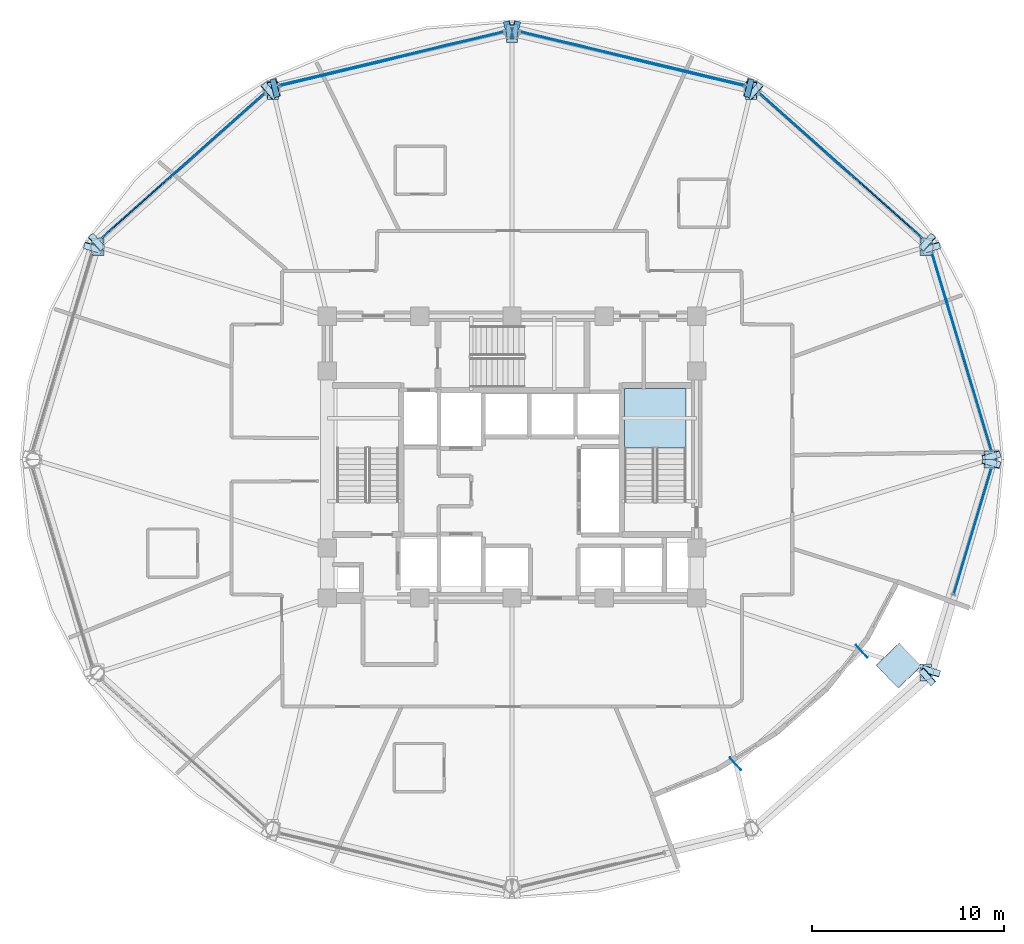
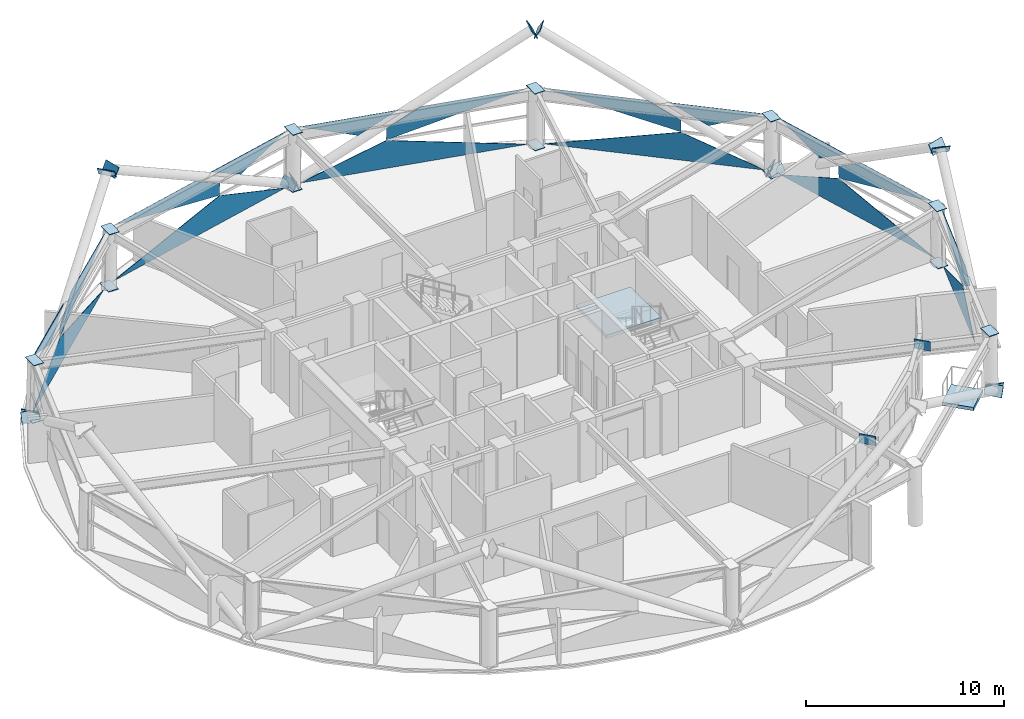
# One storey, part 9 of 17: 46 plates, 2 slabs, 7 elements without a shape of their own.
"""IFC4 building model written with IfcOpenShell, lengths in metres."""

from ifc_helpers import new_model, si_unit, direction, frame, origin, origin_2d, place, context, subcontext, project, spatial, polyline, rectangle, outline, extrude, material, layer, layer_set, type_object, element, aggregate, save


model = new_model("IFC4")

# Units and contexts
model_context = context("Model", 3, precision=1e-05, world=origin(), true_north=direction((0.0, 1.0)))
body_context = subcontext(model_context, "Body", "Model", "MODEL_VIEW")
ifc_project = project(units=[si_unit("LENGTHUNIT", "METRE"), si_unit("AREAUNIT", "SQUARE_METRE"), si_unit("VOLUMEUNIT", "CUBIC_METRE"), si_unit("PLANEANGLEUNIT", "RADIAN"), si_unit("MASSUNIT", "GRAM", prefix="KILO")], contexts=[model_context])

# Site, building, storey
site_placement = place(None, origin())
site = spatial("IfcSite", under=ifc_project, at=site_placement, CompositionType="ELEMENT")
building_placement = place(site_placement, origin())
building = spatial("IfcBuilding", under=site, at=building_placement, Name="Vantalir Tower", CompositionType="ELEMENT")
storey_placement = place(building_placement, frame((0.0, 0.0, 142.199951171875)))
storey = spatial("IfcBuildingStorey", under=building, at=storey_placement, Name="L35", CompositionType="ELEMENT", Elevation=142.199951171875)

# Curtain wall, plates
ifc_material_1 = material(Name="Champagne-silver PVDF aluminium and double-silver Low-E glass", Category="aluminium")
ifc_layer_1 = layer(ifc_material_1, 0.199951171875)
ifc_layer_set_1 = layer_set([ifc_layer_1], Name="Champagne-silver PVDF aluminium and double-silver Low-E glass")
curtain_wall_type = type_object("IfcCurtainWallType", Name="CW-DIAMOND-Z2", PredefinedType="USERDEFINED", material=ifc_layer_set_1)
curtain_wall_1_placement = place(storey_placement, origin())
curtain_wall_1 = element("IfcCurtainWall", 1, at=curtain_wall_1_placement, inside=storey, type_object=curtain_wall_type, Name="L35 Quilted Pyramid-Diamond Curtain Wall S01", ObjectType="UNITISED CURTAIN WALL", PredefinedType="USERDEFINED")
ifc_material_2 = material(Name="Double-silver Low-E laminated glass IGU", Category="glass")
ifc_layer_2 = layer(ifc_material_2, 0.028076171875)
ifc_layer_set_2 = layer_set([ifc_layer_2], Name="Double-silver Low-E laminated glass IGU")
plate_type_1 = type_object("IfcPlateType", Name="CWP-IGU-28", PredefinedType="CURTAIN_PANEL", material=ifc_layer_set_2)
plate_1_placement = place(storey_placement, frame((56.466064453125, 25.435791015625, 0.046630859375), z_axis=(0.95766605274, 0.28786194931, 0.003351055053), x_axis=(-0.287863638285, 0.957671407759, 2.2669998e-05)))
plate_1 = element("IfcPlate", 2, at=plate_1_placement, type_object=plate_type_1, Name="CW-L35-S01 Pyramid Diamond Facet 1L", PredefinedType="CURTAIN_PANEL", context=body_context, shape_type="SweptSolid", body=[
    extrude(outline(polyline([(0.0, 0.0), (10.769327014401977, 1.1926223897340549e-18), (6.671551167771227, 1.7261768079038324), (0.0, 0.0)])), origin(), (0.0, 0.0, -1.0), 0.028076171875),
])
plate_2_placement = place(storey_placement, frame((56.404052734375, 25.435791015625, 3.523681640625), z_axis=(0.95721136728, 0.287737880689, 0.030875724556), x_axis=(-0.287873738099, 0.95766837094, -4.7059881e-05)))
plate_2 = element("IfcPlate", 3, at=plate_2_placement, type_object=plate_type_1, Name="CW-L35-S01 Pyramid Diamond Facet 2U", PredefinedType="CURTAIN_PANEL", context=body_context, shape_type="SweptSolid", body=[
    extrude(outline(polyline([(0.0, 0.0), (5.063267981563026, 3.848917712323541e-18), (6.653625909087909, -0.9779363349330977), (6.653648551236888, -1.7270669298603658), (0.0, 0.0)])), origin(), (0.0, 0.0, -1.0), 0.028076171875),
])
plate_3_placement = place(storey_placement, frame((54.6640625, 31.334716796875, 3.5244140625), z_axis=(0.957197089036, 0.28777049947, 0.031014067395), x_axis=(-0.287908998639, 0.957657772121, 0.0)))
plate_3 = element("IfcPlate", 4, at=plate_3_placement, type_object=plate_type_1, Name="CW-L35-S01 Pyramid Diamond Facet 2U Infill Light", PredefinedType="CURTAIN_PANEL", context=body_context, shape_type="SweptSolid", body=[
    extrude(outline(polyline([(0.0, 0.0), (4.590107323403678, 0.0), (1.869681594079583, -1.1497229983005153), (0.0, 0.0)])), origin(), (0.0, 0.0, -1.0), 0.028076171875),
])
aggregate(curtain_wall_1, [plate_1, plate_2, plate_3])

curtain_wall_2_placement = place(storey_placement, origin())
curtain_wall_2 = element("IfcCurtainWall", 5, at=curtain_wall_2_placement, inside=storey, type_object=curtain_wall_type, Name="L35 Quilted Pyramid-Diamond Curtain Wall S02", ObjectType="UNITISED CURTAIN WALL", PredefinedType="USERDEFINED")
plate_4_placement = place(storey_placement, frame((52.8955078125, 36.48779296875, 0.046630859375), z_axis=(0.665384447468, 0.746495540801, 0.002818622248), x_axis=(-0.746498465783, 0.665387135527, -2.1424018e-05)))
plate_4 = element("IfcPlate", 6, at=plate_4_placement, type_object=plate_type_1, Name="CW-L35-S02 Pyramid Diamond Facet 1L", PredefinedType="CURTAIN_PANEL", context=body_context, shape_type="SweptSolid", body=[
    extrude(outline(polyline([(0.0, 0.0), (11.395650932216812, -4.0115480381963664e-18), (4.336856508556239, 1.7266622721472498), (0.0, 0.0)])), origin(), (0.0, 0.0, -1.0), 0.028076171875),
])
plate_5_placement = place(storey_placement, frame((48.363037109375, 40.451416015625, 3.5234375), z_axis=(0.665070572658, 0.74617913916, 0.029963739217), x_axis=(-0.74651525432, 0.665368298715, 4.6166764e-05)))
plate_5 = element("IfcPlate", 7, at=plate_5_placement, type_object=plate_type_1, Name="CW-L35-S02 Pyramid Diamond Facet 2U", PredefinedType="CURTAIN_PANEL", context=body_context, shape_type="SweptSolid", body=[
    extrude(outline(polyline([(0.0, 0.0), (5.365318499112672, -3.3610267347050637e-18), (-1.6839939253707863, -1.7272603207361275), (-1.684050540719146, -0.9808278501973411), (0.0, 0.0)])), origin(), (0.0, 0.0, -1.0), 0.028076171875),
])
plate_6_placement = place(storey_placement, frame((52.86279296875, 36.483642578125, 3.5244140625), z_axis=(0.665066991562, 0.746188619331, 0.029806729372), x_axis=(-0.746520312689, 0.665362624997, 0.0)))
plate_6 = element("IfcPlate", 8, at=plate_6_placement, type_object=plate_type_1, Name="CW-L35-S02 Pyramid Diamond Facet 2U Infill Light", PredefinedType="CURTAIN_PANEL", context=body_context, shape_type="SweptSolid", body=[
    extrude(outline(polyline([(0.0, 0.0), (4.867308846272898, 0.0), (2.8850680383604845, -1.154809979324388), (0.0, 0.0)])), origin(), (0.0, 0.0, -1.0), 0.028076171875),
])
aggregate(curtain_wall_2, [plate_4, plate_5, plate_6])

curtain_wall_3_placement = place(storey_placement, origin())
curtain_wall_3 = element("IfcCurtainWall", 9, at=curtain_wall_3_placement, inside=storey, type_object=curtain_wall_type, Name="L35 Quilted Pyramid-Diamond Curtain Wall S03", ObjectType="UNITISED CURTAIN WALL", PredefinedType="USERDEFINED")
plate_7_placement = place(storey_placement, frame((43.6064453125, 44.478759765625, 0.04638671875), z_axis=(0.232289817625, 0.972644733842, 0.001913728391), x_axis=(-0.972646523782, 0.232290205047, 2.0358475e-05)))
plate_7 = element("IfcPlate", 10, at=plate_7_placement, type_object=plate_type_1, Name="CW-L35-S03 Pyramid Diamond Facet 1L", PredefinedType="CURTAIN_PANEL", context=body_context, shape_type="SweptSolid", body=[
    extrude(outline(polyline([(0.0, 0.0), (11.992087788120713, 1.8973538018496328e-19), (7.428788054169563, 1.7269027050779848), (0.0, 0.0)])), origin(), (0.0, 0.0, -1.0), 0.028076171875),
])
plate_8_placement = place(storey_placement, frame((43.575439453125, 44.4296875, 3.523681640625), z_axis=(0.23223011881, 0.972215014498, 0.029447198558), x_axis=(-0.97263681217, 0.232330866678, 1.87912e-07)))
plate_8 = element("IfcPlate", 11, at=plate_8_placement, type_object=plate_type_1, Name="CW-L35-S03 Pyramid Diamond Facet 2U", PredefinedType="CURTAIN_PANEL", context=body_context, shape_type="SweptSolid", body=[
    extrude(outline(polyline([(0.0, 0.0), (5.6557268985058595, 0.0), (7.409877866376199, -0.9764990824671348), (7.409882545378596, -1.7278003936049133), (0.0, 0.0)])), origin(), (0.0, 0.0, -1.0), 0.028076171875),
])
plate_9_placement = place(storey_placement, frame((36.943115234375, 46.046875, 3.5244140625), z_axis=(0.232216023165, 0.972217421857, 0.029478860604), x_axis=(-0.972640127413, 0.23231698721, 0.0)))
plate_9 = element("IfcPlate", 12, at=plate_9_placement, type_object=plate_type_1, Name="CW-L35-S03 Pyramid Diamond Facet 2U Infill Light", PredefinedType="CURTAIN_PANEL", context=body_context, shape_type="SweptSolid", body=[
    extrude(outline(polyline([(0.0, 0.0), (5.133619230558663, 0.0), (2.0817370982619647, -1.1587066943502888), (0.0, 0.0)])), origin(), (0.0, 0.0, -1.0), 0.028076171875),
])
aggregate(curtain_wall_3, [plate_7, plate_8, plate_9])

curtain_wall_4_placement = place(storey_placement, origin())
curtain_wall_4 = element("IfcCurtainWall", 13, at=curtain_wall_4_placement, inside=storey, type_object=curtain_wall_type, Name="L35 Quilted Pyramid-Diamond Curtain Wall S04", ObjectType="UNITISED CURTAIN WALL", PredefinedType="USERDEFINED")
plate_10_placement = place(storey_placement, frame((31.0576171875, 47.264404296875, 0.046630859375), z_axis=(-0.232308211186, 0.972640309848, 0.001929423311), x_axis=(-0.972642129189, -0.232308605335, -2.0360088e-05)))
plate_10 = element("IfcPlate", 14, at=plate_10_placement, type_object=plate_type_1, Name="CW-L35-S04 Pyramid Diamond Facet 1L", PredefinedType="CURTAIN_PANEL", context=body_context, shape_type="SweptSolid", body=[
    extrude(outline(polyline([(0.0, 0.0), (11.991137940145546, -1.8973538018496328e-19), (4.562824869955023, 1.726902754850567), (0.0, 0.0)])), origin(), (0.0, 0.0, -1.0), 0.028076171875),
])
plate_11_placement = place(storey_placement, frame((24.926025390625, 45.74365234375, 3.523681640625), z_axis=(-0.232247426044, 0.972211423115, 0.029429268776), x_axis=(-0.972632704927, -0.232348060691, -1.17684e-07)))
plate_11 = element("IfcPlate", 15, at=plate_11_placement, type_object=plate_type_1, Name="CW-L35-S04 Pyramid Diamond Facet 2U", PredefinedType="CURTAIN_PANEL", context=body_context, shape_type="SweptSolid", body=[
    extrude(outline(polyline([(0.0, 0.0), (5.655251978671518, -6.938893903907228e-18), (-1.7541566673117481, -1.7277993575998756), (-1.7541515451092278, -0.9764980459384729), (0.0, 0.0)])), origin(), (0.0, 0.0, -1.0), 0.028076171875),
])
plate_12_placement = place(storey_placement, frame((31.050048828125, 47.239501953125, 3.5244140625), z_axis=(-0.232237779516, 0.972213427042, 0.029439192341), x_axis=(-0.972634993262, -0.232338481276, 0.0)))
plate_12 = element("IfcPlate", 16, at=plate_12_placement, type_object=plate_type_1, Name="CW-L35-S04 Pyramid Diamond Facet 2U Infill Light", PredefinedType="CURTAIN_PANEL", context=body_context, shape_type="SweptSolid", body=[
    extrude(outline(polyline([(0.0, 0.0), (5.133144309874847, 0.0), (3.05140645728668, -1.1587053391237672), (0.0, 0.0)])), origin(), (0.0, 0.0, -1.0), 0.028076171875),
])
aggregate(curtain_wall_4, [plate_10, plate_11, plate_12])

curtain_wall_5_placement = place(storey_placement, origin())
curtain_wall_5 = element("IfcCurtainWall", 17, at=curtain_wall_5_placement, inside=storey, type_object=curtain_wall_type, Name="L35 Quilted Pyramid-Diamond Curtain Wall S05", ObjectType="UNITISED CURTAIN WALL", PredefinedType="USERDEFINED")
plate_13_placement = place(storey_placement, frame((18.6123046875, 44.0703125, 0.04638671875), z_axis=(-0.665341797474, 0.74653338341, 0.002863562233), x_axis=(-0.746536403224, -0.665344571032, 2.1422647e-05)))
plate_13 = element("IfcPlate", 18, at=plate_13_placement, type_object=plate_type_1, Name="CW-L35-S05 Pyramid Diamond Facet 1L", PredefinedType="CURTAIN_PANEL", context=body_context, shape_type="SweptSolid", body=[
    extrude(outline(polyline([(0.0, 0.0), (11.396379953149536, -3.333921680392926e-18), (7.059158652055546, 1.7266624944781284), (0.0, 0.0)])), origin(), (0.0, 0.0, -1.0), 0.028076171875),
])
plate_14_placement = place(storey_placement, frame((18.643310546875, 44.021240234375, 3.523681640625), z_axis=(-0.665031820579, 0.746215760655, 0.029911806476), x_axis=(-0.746550733086, -0.665328490881, -4.6378699e-05)))
plate_14 = element("IfcPlate", 19, at=plate_14_placement, type_object=plate_type_1, Name="CW-L35-S05 Pyramid Diamond Facet 2U", PredefinedType="CURTAIN_PANEL", context=body_context, shape_type="SweptSolid", body=[
    extrude(outline(polyline([(0.0, 0.0), (5.365683024539402, 8.782037597132586e-18), (7.049735331455078, -0.9808248122236228), (7.049680073191491, -1.7272572756848448), (0.0, 0.0)])), origin(), (0.0, 0.0, -1.0), 0.028076171875),
])
plate_15_placement = place(storey_placement, frame((13.771240234375, 39.72216796875, 3.5244140625), z_axis=(-0.665016669689, 0.746232425806, 0.02983279592), x_axis=(-0.746564719457, -0.66531279836, 0.0)))
plate_15 = element("IfcPlate", 20, at=plate_15_placement, type_object=plate_type_1, Name="CW-L35-S05 Pyramid Diamond Facet 2U Infill Light", PredefinedType="CURTAIN_PANEL", context=body_context, shape_type="SweptSolid", body=[
    extrude(outline(polyline([(0.0, 0.0), (4.867673368986231, 0.0), (1.9824253676494359, -1.154810877755437), (0.0, 0.0)])), origin(), (0.0, 0.0, -1.0), 0.028076171875),
])
aggregate(curtain_wall_5, [plate_13, plate_14, plate_15])

curtain_wall_6_placement = place(storey_placement, origin())
curtain_wall_6 = element("IfcCurtainWall", 21, at=curtain_wall_6_placement, inside=storey, type_object=curtain_wall_type, Name="L35 Quilted Pyramid-Diamond Curtain Wall S12", ObjectType="UNITISED CURTAIN WALL", PredefinedType="USERDEFINED")
plate_16_placement = place(storey_placement, frame((54.486572265625, 17.978759765625, 0.0478515625), z_axis=(0.957669261407, -0.287850809639, 0.003390744107), x_axis=(0.287852694228, 0.957674694969, -7.1004611e-05)))
plate_16 = element("IfcPlate", 22, at=plate_16_placement, type_object=plate_type_1, Name="CW-L35-S12 Pyramid Diamond Facet 1L", PredefinedType="CURTAIN_PANEL", context=body_context, shape_type="SweptSolid", body=[
    extrude(outline(polyline([(0.0, 0.0), (6.8767540731444, 2.710505431213761e-19), (2.6154936273738123, 1.7238284385356335), (0.0, 0.0)])), origin(), (0.0, 0.0, -1.0), 0.028076171875),
])
plate_17_placement = place(storey_placement, frame((54.946044921875, 19.7138671875, 3.5224609375), z_axis=(0.957219834462, -0.287722714413, 0.030754318779), x_axis=(0.287857461636, 0.957673263419, 4.809395e-05)))
plate_17 = element("IfcPlate", 23, at=plate_17_placement, type_object=plate_type_1, Name="CW-L35-S12 Pyramid Diamond Facet 2U", PredefinedType="CURTAIN_PANEL", context=body_context, shape_type="SweptSolid", body=[
    extrude(outline(polyline([(0.0, 0.0), (5.064974903952957, -3.144186300207963e-18), (0.821697711580776, -1.724732316931895), (-0.9277955053116116, -0.570538304704447), (0.0, 0.0)])), origin(), (0.0, 0.0, -1.0), 0.028076171875),
])
aggregate(curtain_wall_6, [plate_16, plate_17])

# Plates
ifc_material_3 = material(Name="Steel S460", Category="steel")
ifc_layer_3 = layer(ifc_material_3, 0.0400390625)
ifc_layer_set_3 = layer_set([ifc_layer_3], Name="Steel S460")
plate_type_2 = type_object("IfcPlateType", Name="PLT-KN-Z1", PredefinedType="USERDEFINED", material=ifc_layer_set_3)
plate_18_placement = place(storey_placement, frame((53.281982421875, 36.77490234375, -0.072998046875), z_axis=(-0.650136035253, 0.568980051344, 0.503572077103), x_axis=(-0.658558929969, -0.752529158231, 4.2074172e-05)))
element("IfcPlate", 24, at=plate_18_placement, inside=storey, type_object=plate_type_2, Name="Node Cap Plate MEM-DG-L35-R04L Start", ObjectType="FLANGE_PLATE", PredefinedType="USERDEFINED", context=body_context, shape_type="SweptSolid", body=[
    extrude(outline(polyline([(0.0, 0.0), (0.9498616586623367, -2.7755575615628914e-17), (0.9499075989294837, 0.6199462587250645), (-0.00011484072161482518, 0.6200387823116502), (0.0, 0.0)])), origin(), (0.0, 0.0, -1.0), 0.0400390625),
])
plate_19_placement = place(storey_placement, frame((44.3046875, 44.63037109375, 6.87744140625), z_axis=(-0.65030089794, 0.569041038381, 0.503290213273), x_axis=(-0.65852279772, -0.752560778198, 0.0)))
element("IfcPlate", 25, at=plate_19_placement, inside=storey, type_object=plate_type_2, Name="Node Cap Plate MEM-DG-L35-R04L End", ObjectType="FLANGE_PLATE", PredefinedType="USERDEFINED", context=body_context, shape_type="SweptSolid", body=[
    extrude(outline(polyline([(0.0, 0.0), (0.9502061645264489, -2.7755575615628914e-17), (0.9502445541348985, 0.6201572183150383), (3.838960844958326e-05, 0.6201572183150383), (0.0, 0.0)])), origin(), (0.0, 0.0, -1.0), 0.0400390625),
])
plate_20_placement = place(storey_placement, frame((52.8779296875, 35.71044921875, -0.064697265625), z_axis=(0.236905831818, -0.818441773876, 0.523477496771), x_axis=(0.960567876744, 0.278045597281, 0.0)))
element("IfcPlate", 26, at=plate_20_placement, inside=storey, type_object=plate_type_2, Name="Node Cap Plate MEM-DG-L35-R04R Start", ObjectType="FLANGE_PLATE", PredefinedType="USERDEFINED", context=body_context, shape_type="SweptSolid", body=[
    extrude(outline(polyline([(0.0, 0.0), (0.9500605614080703, 0.0), (0.949976116420954, 0.62006551598103), (-8.444498711617102e-05, 0.6200655159810299), (0.0, 0.0)])), origin(), (0.0, 0.0, -1.0), 0.0400390625),
])
plate_21_placement = place(storey_placement, frame((56.017333984375, 24.86572265625, 6.87744140625), z_axis=(0.236858925411, -0.818279725681, 0.523751983282), x_axis=(0.960567876744, 0.278045597281, 0.0)))
element("IfcPlate", 27, at=plate_21_placement, inside=storey, type_object=plate_type_2, Name="Node Cap Plate MEM-DG-L35-R04R End", ObjectType="FLANGE_PLATE", PredefinedType="USERDEFINED", context=body_context, shape_type="SweptSolid", body=[
    extrude(outline(polyline([(0.0, 0.0), (0.9500605614080703, 2.7755575615628914e-17), (0.9500439986468527, 0.6201883107837916), (-1.656276121744793e-05, 0.6201883107837916), (0.0, 0.0)])), origin(), (0.0, 0.0, -1.0), 0.0400390625),
])
plate_22_placement = place(storey_placement, frame((31.046142578125, 47.746826171875, -0.079833984375), z_axis=(-0.848144524582, -0.209958996686, 0.486382652992), x_axis=(0.240297544555, -0.970699278912, 0.0)))
element("IfcPlate", 28, at=plate_22_placement, inside=storey, type_object=plate_type_2, Name="Node Cap Plate MEM-DG-L35-R10L Start", ObjectType="FLANGE_PLATE", PredefinedType="USERDEFINED", context=body_context, shape_type="SweptSolid", body=[
    extrude(outline(polyline([(0.0, 0.0), (0.9499534620631447, 1.3877787807814457e-17), (0.9499092897203957, 0.6200292794589786), (-4.417234274903259e-05, 0.6200292794589785), (0.0, 0.0)])), origin(), (0.0, 0.0, -1.0), 0.0400390625),
])
plate_23_placement = place(storey_placement, frame((18.912841796875, 44.7412109375, 6.877685546875), z_axis=(-0.848092121375, -0.210170565424, 0.486382655007), x_axis=(0.240539684753, -0.970639304819, 0.0)))
element("IfcPlate", 29, at=plate_23_placement, inside=storey, type_object=plate_type_2, Name="Node Cap Plate MEM-DG-L35-R10L End", ObjectType="FLANGE_PLATE", PredefinedType="USERDEFINED", context=body_context, shape_type="SweptSolid", body=[
    extrude(outline(polyline([(0.0, 0.0), (0.950012158014901, 1.3877787807814457e-17), (0.950043214774454, 0.6200292802546455), (3.1056759552921334e-05, 0.6200292802546455), (0.0, 0.0)])), origin(), (0.0, 0.0, -1.0), 0.0400390625),
])
plate_24_placement = place(storey_placement, frame((31.7255859375, 46.82470703125, -0.079833984375), z_axis=(0.848144524582, -0.209958996686, 0.486382652992), x_axis=(0.240297544555, 0.970699278912, 0.0)))
element("IfcPlate", 30, at=plate_24_placement, inside=storey, type_object=plate_type_2, Name="Node Cap Plate MEM-DG-L35-R10R Start", ObjectType="FLANGE_PLATE", PredefinedType="USERDEFINED", context=body_context, shape_type="SweptSolid", body=[
    extrude(outline(polyline([(0.0, 0.0), (0.9499534620631447, -1.3877787807814457e-17), (0.9499976344058936, 0.6200292794589785), (4.417234274903259e-05, 0.6200292794589785), (0.0, 0.0)])), origin(), (0.0, 0.0, -1.0), 0.0400390625),
])
plate_25_placement = place(storey_placement, frame((43.859619140625, 43.819091796875, 6.877685546875), z_axis=(0.848092121375, -0.210170565424, 0.486382655007), x_axis=(0.240539684753, 0.970639304819, 0.0)))
element("IfcPlate", 31, at=plate_25_placement, inside=storey, type_object=plate_type_2, Name="Node Cap Plate MEM-DG-L35-R10R End", ObjectType="FLANGE_PLATE", PredefinedType="USERDEFINED", context=body_context, shape_type="SweptSolid", body=[
    extrude(outline(polyline([(0.0, 0.0), (0.950012158014901, -1.3877787807814457e-17), (0.9499811012553481, 0.6200292802546455), (-3.1056759552921334e-05, 0.6200292802546455), (0.0, 0.0)])), origin(), (0.0, 0.0, -1.0), 0.0400390625),
])
plate_26_placement = place(storey_placement, frame((9.20947265625, 35.974609375, -0.064697265625), z_axis=(-0.236905831818, -0.818441773876, 0.523477496771), x_axis=(0.960567876744, -0.278045597281, 0.0)))
element("IfcPlate", 32, at=plate_26_placement, inside=storey, type_object=plate_type_2, Name="Node Cap Plate MEM-DG-L35-R16L Start", ObjectType="FLANGE_PLATE", PredefinedType="USERDEFINED", context=body_context, shape_type="SweptSolid", body=[
    extrude(outline(polyline([(0.0, 0.0), (0.9500605614080703, 0.0), (0.9501450063951864, 0.6200655159810299), (8.444498711617102e-05, 0.6200655159810299), (0.0, 0.0)])), origin(), (0.0, 0.0, -1.0), 0.0400390625),
])
plate_27_placement = place(storey_placement, frame((10.343505859375, 36.06005859375, -0.072998046875), z_axis=(0.650239568171, 0.56895962215, 0.50346147057), x_axis=(-0.658504607869, 0.752576694707, 0.0)))
element("IfcPlate", 33, at=plate_27_placement, inside=storey, type_object=plate_type_2, Name="Node Cap Plate MEM-DG-L35-R16R Start", ObjectType="FLANGE_PLATE", PredefinedType="USERDEFINED", context=body_context, shape_type="SweptSolid", body=[
    extrude(outline(polyline([(0.0, 0.0), (0.9498616619777542, 5.551115123125783e-17), (0.9498157283416028, 0.6199462638053317), (-4.593363615154611e-05, 0.6199462638053317), (0.0, 0.0)])), origin(), (0.0, 0.0, -1.0), 0.0400390625),
])
plate_28_placement = place(storey_placement, frame((19.322021484375, 43.915283203125, 6.87744140625), z_axis=(0.650307424655, 0.568935737684, 0.503400814287), x_axis=(-0.658431586818, 0.752640580696, -4.2062814e-05)))
element("IfcPlate", 34, at=plate_28_placement, inside=storey, type_object=plate_type_2, Name="Node Cap Plate MEM-DG-L35-R16R End", ObjectType="FLANGE_PLATE", PredefinedType="USERDEFINED", context=body_context, shape_type="SweptSolid", body=[
    extrude(outline(polyline([(0.0, 0.0), (0.9500454068084818, 0.0), (0.9501073993093806, 0.6202497123727131), (-9.875739822682176e-05, 0.6201572065591814), (0.0, 0.0)])), origin(), (0.0, 0.0, -1.0), 0.0400390625),
])
plate_29_placement = place(storey_placement, frame((53.79052734375, 14.025390625, -0.064697265625), z_axis=(0.236905831818, 0.818441773876, 0.523477496771), x_axis=(-0.960567876744, 0.278045597281, 0.0)))
element("IfcPlate", 35, at=plate_29_placement, inside=storey, type_object=plate_type_2, Name="Node Cap Plate MEM-DG-L35-R34L Start", ObjectType="FLANGE_PLATE", PredefinedType="USERDEFINED", context=body_context, shape_type="SweptSolid", body=[
    extrude(outline(polyline([(0.0, 0.0), (0.9500605614080703, 0.0), (0.9501450063951864, 0.6200655159810299), (8.444498711617102e-05, 0.6200655159810299), (0.0, 0.0)])), origin(), (0.0, 0.0, -1.0), 0.0400390625),
])
plate_30_placement = place(storey_placement, frame((56.929931640625, 24.8701171875, 6.87744140625), z_axis=(0.236858925411, 0.818279725681, 0.523751983282), x_axis=(-0.960567876744, 0.278045597281, 0.0)))
element("IfcPlate", 36, at=plate_30_placement, inside=storey, type_object=plate_type_2, Name="Node Cap Plate MEM-DG-L35-R34L End", ObjectType="FLANGE_PLATE", PredefinedType="USERDEFINED", context=body_context, shape_type="SweptSolid", body=[
    extrude(outline(polyline([(0.0, 0.0), (0.9500605614080703, -2.7755575615628914e-17), (0.9500771241692877, 0.6201883107837914), (1.656276121744793e-05, 0.6201883107837916), (0.0, 0.0)])), origin(), (0.0, 0.0, -1.0), 0.0400390625),
])
plate_31_placement = place(storey_placement, frame((52.656494140625, 13.93994140625, -0.072998046875), z_axis=(-0.650136035253, -0.568980051344, 0.503572077103), x_axis=(0.658558929969, -0.752529158231, -4.2074172e-05)))
element("IfcPlate", 37, at=plate_31_placement, inside=storey, type_object=plate_type_2, Name="Node Cap Plate MEM-DG-L35-R34R Start", ObjectType="FLANGE_PLATE", PredefinedType="USERDEFINED", context=body_context, shape_type="SweptSolid", body=[
    extrude(outline(polyline([(0.0, 0.0), (0.9498616586623367, 2.7755575615628914e-17), (0.9499764993839516, 0.6200387823116503), (-4.594026714705201e-05, 0.6199462587250645), (0.0, 0.0)])), origin(), (0.0, 0.0, -1.0), 0.0400390625),
])
ifc_layer_4 = layer(ifc_material_3, 0.035888671875)
ifc_layer_set_4 = layer_set([ifc_layer_4], Name="Steel S460")
plate_type_3 = type_object("IfcPlateType", Name="PLT-KN-Z2", PredefinedType="USERDEFINED", material=ifc_layer_set_4)
plate_32_placement = place(storey_placement, frame((56.054443359375, 25.43994140625, 3.593017578125), z_axis=(-0.017253323722, 0.0, 0.999851150332), x_axis=(0.0, -1.0, 0.0)))
element("IfcPlate", 38, at=plate_32_placement, inside=storey, type_object=plate_type_3, Name="L35 Ring Column Top Cap RC01", ObjectType="FLANGE_PLATE", PredefinedType="USERDEFINED", context=body_context, shape_type="SweptSolid", body=[
    extrude(outline(polyline([(0.0, 0.0), (0.8798828125, 0.0), (0.8798828125, 0.580164482290482), (0.0, 0.580164482290482), (0.0, 0.0)])), origin(), (0.0, 0.0, -1.0), 0.035888671875),
])
plate_33_placement = place(storey_placement, frame((56.1162109375, 25.43994140625, 0.048095703125), z_axis=(-0.017260586116, 0.0, 0.999851024987), x_axis=(0.0, -1.0, 0.0)))
element("IfcPlate", 39, at=plate_33_placement, inside=storey, type_object=plate_type_3, Name="L35 Ring Column Base Cap RC01", ObjectType="FLANGE_PLATE", PredefinedType="USERDEFINED", context=body_context, shape_type="SweptSolid", body=[
    extrude(outline(polyline([(0.0, 0.0), (0.8798828125, 0.0), (0.8798828125, 0.5799203780210307), (0.0, 0.5799203780210307), (0.0, 0.0)])), origin(), (0.0, 0.0, -1.0), 0.035888671875),
])
plate_34_placement = place(storey_placement, frame((52.7255859375, 36.501708984375, 3.59716796875), z_axis=(-0.015149285974, -0.008045431008, 0.999852874264), x_axis=(0.0, -0.999967627567, -0.008046354384)))
element("IfcPlate", 40, at=plate_34_placement, inside=storey, type_object=plate_type_3, Name="L35 Ring Column Top Cap RC02", ObjectType="FLANGE_PLATE", PredefinedType="USERDEFINED", context=body_context, shape_type="SweptSolid", body=[
    extrude(outline(polyline([(0.0, 0.0), (0.8799112973698919, -1.3552527156068805e-20), (0.879840577458315, 0.580144700675477), (-7.071991157689284e-05, 0.580144700675477), (0.0, 0.0)])), origin(), (0.0, 0.0, -1.0), 0.035888671875),
])
plate_35_placement = place(storey_placement, frame((52.779296875, 36.529541015625, 0.052001953125), z_axis=(-0.0151556964, -0.007768018642, 0.99985497086), x_axis=(0.0, -0.999969821556, -0.007768910933)))
element("IfcPlate", 41, at=plate_35_placement, inside=storey, type_object=plate_type_3, Name="L35 Ring Column Base Cap RC02", ObjectType="FLANGE_PLATE", PredefinedType="USERDEFINED", context=body_context, shape_type="SweptSolid", body=[
    extrude(outline(polyline([(0.0, 0.0), (0.8799093667954753, 0.0), (0.8798410853517257, 0.57990058837137), (-6.828144374960269e-05, 0.57990058837137), (0.0, 0.0)])), origin(), (0.0, 0.0, -1.0), 0.035888671875),
])
plate_36_placement = place(storey_placement, frame((43.6328125, 44.599609375, 3.6015625), z_axis=(-0.008630476033, -0.013455550176, 0.999872223363), x_axis=(-1.197083e-06, -0.999909463103, -0.013456061654)))
element("IfcPlate", 42, at=plate_36_placement, inside=storey, type_object=plate_type_3, Name="L35 Ring Column Top Cap RC03", ObjectType="FLANGE_PLATE", PredefinedType="USERDEFINED", context=body_context, shape_type="SweptSolid", body=[
    extrude(outline(polyline([(0.0, 0.0), (0.8799641240344191, -2.710505431213761e-20), (0.8798944413275386, 0.5798566334289026), (-6.63975355783869e-05, 0.579854526573788), (0.0, 0.0)])), origin(), (0.0, 0.0, -1.0), 0.035888671875),
])
plate_37_placement = place(storey_placement, frame((43.66357421875, 44.647216796875, 0.056396484375), z_axis=(-0.008630476033, -0.013455550176, 0.999872223363), x_axis=(1.197088e-06, -0.999909463381, -0.013456040992)))
element("IfcPlate", 43, at=plate_37_placement, inside=storey, type_object=plate_type_3, Name="L35 Ring Column Base Cap RC03", ObjectType="FLANGE_PLATE", PredefinedType="USERDEFINED", context=body_context, shape_type="SweptSolid", body=[
    extrude(outline(polyline([(0.0, 0.0), (0.8799608388656391, -1.3552527156068805e-20), (0.8798958296526102, 0.5798545267310989), (-6.829437928676556e-05, 0.579856633594079), (0.0, 0.0)])), origin(), (0.0, 0.0, -1.0), 0.035888671875),
])
for number, where, z_axis, x_axis, name in (
    (44, (31.2099609375, 47.5634765625, 3.60498046875), (0.0, -0.015813782574, 0.999874954322), (0.0, -0.999874954322, -0.015813782574), "L35 Ring Column Top Cap RC04"),
    (45, (31.2099609375, 47.619140625, 0.06005859375), (0.0, -0.015813782574, 0.999874954322), (0.0, -0.999874954322, -0.015813782574), "L35 Ring Column Base Cap RC04"),
):
    element("IfcPlate", number, at=place(storey_placement, frame(where, z_axis=z_axis, x_axis=x_axis)), inside=storey, type_object=plate_type_3, Name=name, ObjectType="FLANGE_PLATE", PredefinedType="USERDEFINED", context=body_context, shape_type="SweptSolid", body=[
        extrude(outline(polyline([(0.0, 0.0), (0.879992851802664, 0.0), (0.879992851802664, 0.580078125), (0.0, 0.580078125), (0.0, 0.0)])), origin(), (0.0, 0.0, -1.0), 0.035888671875),
    ])
plate_38_placement = place(storey_placement, frame((18.788330078125, 44.599609375, 3.6064453125), z_axis=(0.008630476033, -0.013455550176, 0.999872223363), x_axis=(-1.197088e-06, -0.999909463381, -0.013456040992)))
element("IfcPlate", 46, at=plate_38_placement, inside=storey, type_object=plate_type_3, Name="L35 Ring Column Top Cap RC05", ObjectType="FLANGE_PLATE", PredefinedType="USERDEFINED", context=body_context, shape_type="SweptSolid", body=[
    extrude(outline(polyline([(0.0, 0.0), (0.8799608388656391, 1.3552527156068805e-20), (0.8800291332449259, 0.579856633594079), (6.500921302898241e-05, 0.5798545267310989), (0.0, 0.0)])), origin(), (0.0, 0.0, -1.0), 0.035888671875),
])
plate_39_placement = place(storey_placement, frame((18.757568359375, 44.647216796875, 0.0615234375), z_axis=(0.008630476033, -0.013455550176, 0.999872223363), x_axis=(1.197083e-06, -0.999909463103, -0.013456061654)))
element("IfcPlate", 47, at=plate_39_placement, inside=storey, type_object=plate_type_3, Name="L35 Ring Column Base Cap RC05", ObjectType="FLANGE_PLATE", PredefinedType="USERDEFINED", context=body_context, shape_type="SweptSolid", body=[
    extrude(outline(polyline([(0.0, 0.0), (0.8799641240344191, 2.710505431213761e-20), (0.8800305215699976, 0.5798545265737881), (6.96827068805386e-05, 0.5798566334289026), (0.0, 0.0)])), origin(), (0.0, 0.0, -1.0), 0.035888671875),
])
plate_40_placement = place(storey_placement, frame((9.6943359375, 36.501708984375, 3.60595703125), z_axis=(0.015149285974, -0.008045431008, 0.999852874264), x_axis=(0.0, -0.999967627567, -0.008046354384)))
element("IfcPlate", 48, at=plate_40_placement, inside=storey, type_object=plate_type_3, Name="L35 Ring Column Top Cap RC06", ObjectType="FLANGE_PLATE", PredefinedType="USERDEFINED", context=body_context, shape_type="SweptSolid", body=[
    extrude(outline(polyline([(0.0, 0.0), (0.8799112973698919, 1.3552527156068805e-20), (0.8799820172814689, 0.580144700675477), (7.071991157689284e-05, 0.580144700675477), (0.0, 0.0)])), origin(), (0.0, 0.0, -1.0), 0.035888671875),
])
plate_41_placement = place(storey_placement, frame((9.640869140625, 36.529541015625, 0.060791015625), z_axis=(0.0151556964, -0.007768018642, 0.99985497086), x_axis=(0.0, -0.999969821556, -0.007768910933)))
element("IfcPlate", 49, at=plate_41_placement, inside=storey, type_object=plate_type_3, Name="L35 Ring Column Base Cap RC06", ObjectType="FLANGE_PLATE", PredefinedType="USERDEFINED", context=body_context, shape_type="SweptSolid", body=[
    extrude(outline(polyline([(0.0, 0.0), (0.8799093667954753, 0.0), (0.8799776482392249, 0.57990058837137), (6.828144374960269e-05, 0.57990058837137), (0.0, 0.0)])), origin(), (0.0, 0.0, -1.0), 0.035888671875),
])
plate_42_placement = place(storey_placement, frame((52.7255859375, 14.378173828125, 3.74462890625), z_axis=(-0.014307898005, 0.007490698838, 0.999869578238), x_axis=(0.0, -0.999971938577, 0.007491465689)))
element("IfcPlate", 50, at=plate_42_placement, inside=storey, type_object=plate_type_3, Name="L35 Ring Column Top Cap RC12", ObjectType="FLANGE_PLATE", PredefinedType="USERDEFINED", context=body_context, shape_type="SweptSolid", body=[
    extrude(outline(polyline([(0.0, 0.0), (0.8799075039564962, -1.3552527156068805e-20), (0.8799696889744189, 0.5801375097387682), (6.218501792264961e-05, 0.5801375097387682), (0.0, 0.0)])), origin(), (0.0, 0.0, -1.0), 0.035888671875),
])
for number, where, z_axis, x_axis, name in (
    (51, (43.12109375, 9.178955078125, 3.080078125), (0.0, 0.0, 1.0), (0.746789099045, 0.665060930703, 0.0), "L35 Lintel Cap 1A"),
    (52, (49.69091796875, 15.029052734375, 3.080078125), (0.0, 0.0, 1.0), (0.746789099045, 0.665060930703, 0.0), "L35 Lintel Cap 1B"),
):
    element("IfcPlate", number, at=place(storey_placement, frame(where, z_axis=z_axis, x_axis=x_axis)), inside=storey, type_object=plate_type_3, Name=name, ObjectType="FLANGE_PLATE", PredefinedType="USERDEFINED", context=body_context, shape_type="SweptSolid", body=[
        extrude(rectangle(XDim=0.035888671875, YDim=0.8798828125, at=origin_2d()), origin(), (0.0, 0.0, 1.0), 0.580078125),
    ])

# Stair, slab
ifc_material_4 = material(Name="Concrete C40/50", Category="concrete")
stair_type = type_object("IfcStairType", Name="STR-CORE-1450", PredefinedType="HALF_TURN_STAIR", material=ifc_material_4)
stair_placement = place(storey_placement, origin())
stair = element("IfcStair", 53, at=stair_placement, inside=storey, type_object=stair_type, Name="L35 Core Exit Stair 2", PredefinedType="HALF_TURN_STAIR")
ifc_layer_5 = layer(ifc_material_4, 0.199951171875)
ifc_layer_set_5 = layer_set([ifc_layer_5], Name="Concrete C40/50")
slab_type = type_object("IfcSlabType", Name="SL-LAND-200", PredefinedType="LANDING", material=ifc_layer_set_5)
slab_1_placement = place(storey_placement, frame((0.0, 0.0, 1.675048828125)))
slab_1 = element("IfcSlab", 54, at=slab_1_placement, type_object=slab_type, Name="ST2 landing 1", PredefinedType="LANDING", context=body_context, shape_type="SweptSolid", body=[
    extrude(outline(polyline([(40.550048828125, 25.590087890625), (40.550048828125, 28.699951171875), (37.35009765625, 28.699951171875), (37.35009765625, 25.590087890625), (40.550048828125, 25.590087890625)])), origin(), (0.0, 0.0, 1.0), 0.199951171875),
])
aggregate(stair, [slab_1])

# Slab
slab_2_placement = place(storey_placement, frame((0.0, 0.0, -0.199951171875)))
element("IfcSlab", 55, at=slab_2_placement, inside=storey, type_object=slab_type, Name="Sky Garden Stair SG2 Upper Gallery Landing", PredefinedType="LANDING", context=body_context, shape_type="SweptSolid", body=[
    extrude(outline(polyline([(51.587890625, 13.10693359375), (52.783935546875, 14.257080078125), (51.6259765625, 15.4609375), (50.429931640625, 14.31005859375), (51.587890625, 13.10693359375)])), origin(), (0.0, 0.0, 1.0), 0.199951171875),
])

save(model, "model.ifc")
